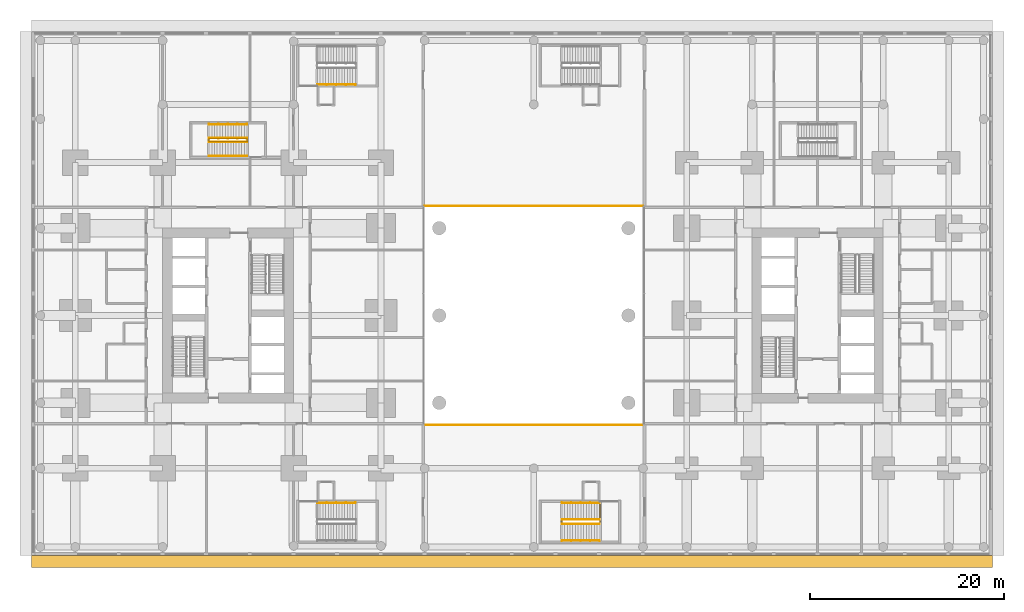
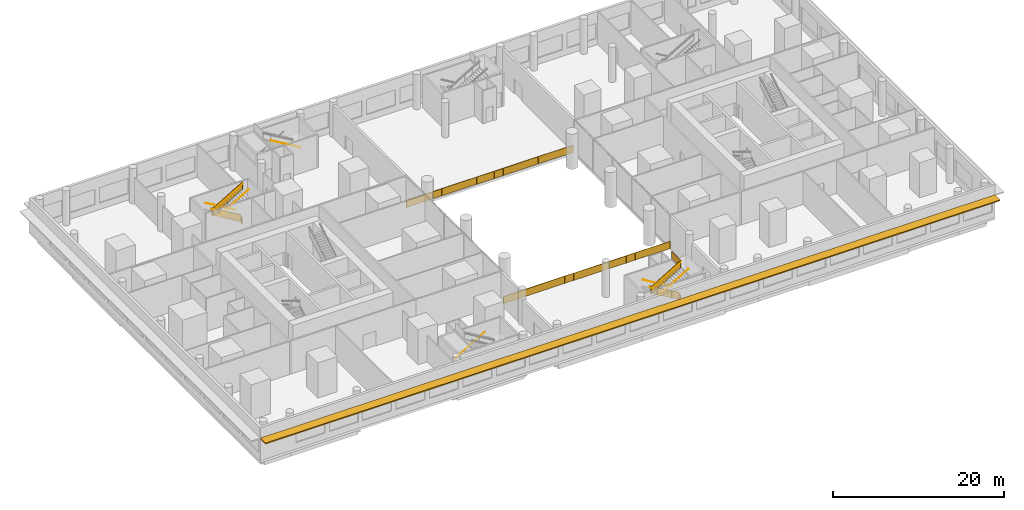
# One storey, part 20 of 22: 14 railings, 1 shading device.
"""IFC4 building model written with IfcOpenShell, lengths in metres."""

from ifc_helpers import new_model, si_unit, direction, frame, origin, origin_2d, place, context, subcontext, project, spatial, polyline, rectangle, circle, outline, extrude, material, layer, layer_set, type_object, element, save


model = new_model("IFC4")

# Units and contexts
model_context = context("Model", 3, precision=1e-05, world=origin(), true_north=direction((0.0, 1.0)))
body_context = subcontext(model_context, "Body", "Model", "MODEL_VIEW")
ifc_project = project(units=[si_unit("LENGTHUNIT", "METRE"), si_unit("AREAUNIT", "SQUARE_METRE"), si_unit("VOLUMEUNIT", "CUBIC_METRE"), si_unit("PLANEANGLEUNIT", "RADIAN"), si_unit("MASSUNIT", "GRAM", prefix="KILO")], contexts=[model_context])

# Site, building, storey
site_placement = place(None, origin())
site = spatial("IfcSite", under=ifc_project, at=site_placement, CompositionType="ELEMENT")
building_placement = place(site_placement, origin())
building = spatial("IfcBuilding", under=site, at=building_placement, Name="Namib Vertical Campus", CompositionType="ELEMENT")
storey_placement = place(building_placement, frame((0.0, 0.0, 11.0)))
storey = spatial("IfcBuildingStorey", under=building, at=storey_placement, Name="L02", CompositionType="ELEMENT", Elevation=11.0)

# Railings
ifc_material_1 = material(Name="Toughened glass balustrade", Category="glass")
railing_type_1 = type_object("IfcRailingType", Name="Edge guard 1100", PredefinedType="GUARDRAIL", material=ifc_material_1)
railing_1_placement = place(storey_placement, frame((40.5, 8.949951171875, 0.0)))
element("IfcRailing", 1, at=railing_1_placement, inside=storey, type_object=railing_type_1, Name="Atrium edge guard GR2 L02 S", PredefinedType="GUARDRAIL", context=body_context, shape_type="SweptSolid", body=[
    extrude(circle(Radius=0.02392578125, at=origin_2d()), frame((0.0, 0.0, 1.076171875), z_axis=(1.0, 0.0, 0.0), x_axis=(0.0, 1.0, 0.0)), (0.0, 0.0, 1.0), 22.5),
    extrude(outline(polyline([(0.02099609375, 0.050048828125), (22.47900390625, 0.050048828125), (22.47900390625, 1.052001953125), (0.02099609375, 1.052001953125), (0.02099609375, 0.050048828125)])), frame((0.0, 0.0107421875, 0.0), z_axis=(0.0, -1.0, 0.0), x_axis=(1.0, 0.0, 0.0)), (0.0, 0.0, 1.0), 0.021484375),
    extrude(circle(Radius=0.02099609375, at=origin_2d()), origin(), (0.0, 0.0, 1.0), 1.052001953125),
    extrude(circle(Radius=0.02099609375, at=origin_2d()), frame((1.184326171875, 0.0, 0.0)), (0.0, 0.0, 1.0), 1.052001953125),
    extrude(circle(Radius=0.02099609375, at=origin_2d()), frame((2.368408203125, 0.0, 0.0)), (0.0, 0.0, 1.0), 1.052001953125),
    extrude(circle(Radius=0.02099609375, at=origin_2d()), frame((3.552734375, 0.0, 0.0)), (0.0, 0.0, 1.0), 1.052001953125),
    extrude(circle(Radius=0.02099609375, at=origin_2d()), frame((4.73681640625, 0.0, 0.0)), (0.0, 0.0, 1.0), 1.052001953125),
    extrude(circle(Radius=0.02099609375, at=origin_2d()), frame((5.921142578125, 0.0, 0.0)), (0.0, 0.0, 1.0), 1.052001953125),
    extrude(circle(Radius=0.02099609375, at=origin_2d()), frame((7.105224609375, 0.0, 0.0)), (0.0, 0.0, 1.0), 1.052001953125),
    extrude(circle(Radius=0.02099609375, at=origin_2d()), frame((8.28955078125, 0.0, 0.0)), (0.0, 0.0, 1.0), 1.052001953125),
    extrude(circle(Radius=0.02099609375, at=origin_2d()), frame((9.4736328125, 0.0, 0.0)), (0.0, 0.0, 1.0), 1.052001953125),
    extrude(circle(Radius=0.02099609375, at=origin_2d()), frame((10.657958984375, 0.0, 0.0)), (0.0, 0.0, 1.0), 1.052001953125),
    extrude(circle(Radius=0.02099609375, at=origin_2d()), frame((11.842041015625, 0.0, 0.0)), (0.0, 0.0, 1.0), 1.052001953125),
    extrude(circle(Radius=0.02099609375, at=origin_2d()), frame((13.0263671875, 0.0, 0.0)), (0.0, 0.0, 1.0), 1.052001953125),
    extrude(circle(Radius=0.02099609375, at=origin_2d()), frame((14.21044921875, 0.0, 0.0)), (0.0, 0.0, 1.0), 1.052001953125),
    extrude(circle(Radius=0.02099609375, at=origin_2d()), frame((15.394775390625, 0.0, 0.0)), (0.0, 0.0, 1.0), 1.052001953125),
    extrude(circle(Radius=0.02099609375, at=origin_2d()), frame((16.578857421875, 0.0, 0.0)), (0.0, 0.0, 1.0), 1.052001953125),
    extrude(circle(Radius=0.02099609375, at=origin_2d()), frame((17.76318359375, 0.0, 0.0)), (0.0, 0.0, 1.0), 1.052001953125),
    extrude(circle(Radius=0.02099609375, at=origin_2d()), frame((18.947265625, 0.0, 0.0)), (0.0, 0.0, 1.0), 1.052001953125),
    extrude(circle(Radius=0.02099609375, at=origin_2d()), frame((20.131591796875, 0.0, 0.0)), (0.0, 0.0, 1.0), 1.052001953125),
    extrude(circle(Radius=0.02099609375, at=origin_2d()), frame((21.315673828125, 0.0, 0.0)), (0.0, 0.0, 1.0), 1.052001953125),
    extrude(circle(Radius=0.02099609375, at=origin_2d()), frame((22.5, 0.0, 0.0)), (0.0, 0.0, 1.0), 1.052001953125),
])
railing_2_placement = place(storey_placement, frame((40.5, 31.550048828125, 0.0)))
element("IfcRailing", 2, at=railing_2_placement, inside=storey, type_object=railing_type_1, Name="Atrium edge guard GR2 L02 N", PredefinedType="GUARDRAIL", context=body_context, shape_type="SweptSolid", body=[
    extrude(circle(Radius=0.02392578125, at=origin_2d()), frame((0.0, 0.0, 1.076171875), z_axis=(1.0, 0.0, 0.0), x_axis=(0.0, 1.0, 0.0)), (0.0, 0.0, 1.0), 22.5),
    extrude(outline(polyline([(0.02099609375, 0.050048828125), (22.47900390625, 0.050048828125), (22.47900390625, 1.052001953125), (0.02099609375, 1.052001953125), (0.02099609375, 0.050048828125)])), frame((0.0, 0.0107421875, 0.0), z_axis=(0.0, -1.0, 0.0), x_axis=(1.0, 0.0, 0.0)), (0.0, 0.0, 1.0), 0.021484375),
    extrude(circle(Radius=0.02099609375, at=origin_2d()), origin(), (0.0, 0.0, 1.0), 1.052001953125),
    extrude(circle(Radius=0.02099609375, at=origin_2d()), frame((1.184326171875, 0.0, 0.0)), (0.0, 0.0, 1.0), 1.052001953125),
    extrude(circle(Radius=0.02099609375, at=origin_2d()), frame((2.368408203125, 0.0, 0.0)), (0.0, 0.0, 1.0), 1.052001953125),
    extrude(circle(Radius=0.02099609375, at=origin_2d()), frame((3.552734375, 0.0, 0.0)), (0.0, 0.0, 1.0), 1.052001953125),
    extrude(circle(Radius=0.02099609375, at=origin_2d()), frame((4.73681640625, 0.0, 0.0)), (0.0, 0.0, 1.0), 1.052001953125),
    extrude(circle(Radius=0.02099609375, at=origin_2d()), frame((5.921142578125, 0.0, 0.0)), (0.0, 0.0, 1.0), 1.052001953125),
    extrude(circle(Radius=0.02099609375, at=origin_2d()), frame((7.105224609375, 0.0, 0.0)), (0.0, 0.0, 1.0), 1.052001953125),
    extrude(circle(Radius=0.02099609375, at=origin_2d()), frame((8.28955078125, 0.0, 0.0)), (0.0, 0.0, 1.0), 1.052001953125),
    extrude(circle(Radius=0.02099609375, at=origin_2d()), frame((9.4736328125, 0.0, 0.0)), (0.0, 0.0, 1.0), 1.052001953125),
    extrude(circle(Radius=0.02099609375, at=origin_2d()), frame((10.657958984375, 0.0, 0.0)), (0.0, 0.0, 1.0), 1.052001953125),
    extrude(circle(Radius=0.02099609375, at=origin_2d()), frame((11.842041015625, 0.0, 0.0)), (0.0, 0.0, 1.0), 1.052001953125),
    extrude(circle(Radius=0.02099609375, at=origin_2d()), frame((13.0263671875, 0.0, 0.0)), (0.0, 0.0, 1.0), 1.052001953125),
    extrude(circle(Radius=0.02099609375, at=origin_2d()), frame((14.21044921875, 0.0, 0.0)), (0.0, 0.0, 1.0), 1.052001953125),
    extrude(circle(Radius=0.02099609375, at=origin_2d()), frame((15.394775390625, 0.0, 0.0)), (0.0, 0.0, 1.0), 1.052001953125),
    extrude(circle(Radius=0.02099609375, at=origin_2d()), frame((16.578857421875, 0.0, 0.0)), (0.0, 0.0, 1.0), 1.052001953125),
    extrude(circle(Radius=0.02099609375, at=origin_2d()), frame((17.76318359375, 0.0, 0.0)), (0.0, 0.0, 1.0), 1.052001953125),
    extrude(circle(Radius=0.02099609375, at=origin_2d()), frame((18.947265625, 0.0, 0.0)), (0.0, 0.0, 1.0), 1.052001953125),
    extrude(circle(Radius=0.02099609375, at=origin_2d()), frame((20.131591796875, 0.0, 0.0)), (0.0, 0.0, 1.0), 1.052001953125),
    extrude(circle(Radius=0.02099609375, at=origin_2d()), frame((21.315673828125, 0.0, 0.0)), (0.0, 0.0, 1.0), 1.052001953125),
    extrude(circle(Radius=0.02099609375, at=origin_2d()), frame((22.5, 0.0, 0.0)), (0.0, 0.0, 1.0), 1.052001953125),
])
ifc_material_2 = material(Name="Steel handrail", Category="steel")
railing_type_2 = type_object("IfcRailingType", Name="Handrail 900", PredefinedType="HANDRAIL", material=ifc_material_2)
railing_3_placement = place(storey_placement, frame((33.3662109375, 44.050048828125, 2.666748046875)))
element("IfcRailing", 3, at=railing_3_placement, inside=storey, type_object=railing_type_2, Name="Handrail HR1 P-S1 L02 2", PredefinedType="HANDRAIL", context=body_context, shape_type="SweptSolid", body=[
    extrude(circle(Radius=0.02392578125, at=origin_2d()), frame((0.0, 0.0, 0.8759765625), z_axis=(-0.859310244771, 0.0, 0.511454693235), x_axis=(0.0, -1.0, 0.0)), (0.0, 0.0, 1.0), 4.56201171875),
    extrude(circle(Radius=0.008056640625, at=origin_2d()), frame((0.0, 0.0, 0.8759765625), z_axis=(0.0, -1.0, 0.0), x_axis=(0.0, 0.0, 1.0)), (0.0, 0.0, 1.0), 0.050048828125),
    extrude(circle(Radius=0.008056640625, at=origin_2d()), frame((-0.97998046875, 0.0, 1.459228515625), z_axis=(0.0, -1.0, 0.0), x_axis=(0.0, 0.0, 1.0)), (0.0, 0.0, 1.0), 0.050048828125),
    extrude(circle(Radius=0.008056640625, at=origin_2d()), frame((-1.9599609375, 0.0, 2.04248046875), z_axis=(0.0, -1.0, 0.0), x_axis=(0.0, 0.0, 1.0)), (0.0, 0.0, 1.0), 0.050048828125),
    extrude(circle(Radius=0.008056640625, at=origin_2d()), frame((-2.940185546875, 0.0, 2.625732421875), z_axis=(0.0, -1.0, 0.0), x_axis=(0.0, 0.0, 1.0)), (0.0, 0.0, 1.0), 0.050048828125),
    extrude(circle(Radius=0.008056640625, at=origin_2d()), frame((-3.920166015625, 0.0, 3.208984375), z_axis=(0.0, -1.0, 0.0), x_axis=(0.0, 0.0, 1.0)), (0.0, 0.0, 1.0), 0.050048828125),
])
railing_4_placement = place(storey_placement, frame((29.446044921875, 0.949951171875, 0.166748046875)))
element("IfcRailing", 4, at=railing_4_placement, inside=storey, type_object=railing_type_2, Name="Handrail HR1 P-S2 L02 1", PredefinedType="HANDRAIL", context=body_context, shape_type="SweptSolid", body=[
    extrude(circle(Radius=0.02392578125, at=origin_2d()), frame((0.0, 0.0, 0.8759765625), z_axis=(0.859310244771, 0.0, 0.511454693235), x_axis=(0.0, 1.0, 0.0)), (0.0, 0.0, 1.0), 4.56201171875),
    extrude(circle(Radius=0.008056640625, at=origin_2d()), frame((0.0, 0.0, 0.8759765625), z_axis=(0.0, 1.0, 0.0), x_axis=(0.0, 0.0, 1.0)), (0.0, 0.0, 1.0), 0.050048828125),
    extrude(circle(Radius=0.008056640625, at=origin_2d()), frame((0.97998046875, 0.0, 1.459228515625), z_axis=(0.0, 1.0, 0.0), x_axis=(0.0, 0.0, 1.0)), (0.0, 0.0, 1.0), 0.050048828125),
    extrude(circle(Radius=0.008056640625, at=origin_2d()), frame((1.9599609375, 0.0, 2.04248046875), z_axis=(0.0, 1.0, 0.0), x_axis=(0.0, 0.0, 1.0)), (0.0, 0.0, 1.0), 0.050048828125),
    extrude(circle(Radius=0.008056640625, at=origin_2d()), frame((2.940185546875, 0.0, 2.625732421875), z_axis=(0.0, 1.0, 0.0), x_axis=(0.0, 0.0, 1.0)), (0.0, 0.0, 1.0), 0.050048828125),
    extrude(circle(Radius=0.008056640625, at=origin_2d()), frame((3.920166015625, 0.0, 3.208984375), z_axis=(0.0, 1.0, 0.0), x_axis=(0.0, 0.0, 1.0)), (0.0, 0.0, 1.0), 0.050048828125),
])
railing_5_placement = place(storey_placement, frame((58.553955078125, 0.949951171875, 0.166748046875)))
element("IfcRailing", 5, at=railing_5_placement, inside=storey, type_object=railing_type_2, Name="Handrail HR1 P-S4 L02 1", PredefinedType="HANDRAIL", context=body_context, shape_type="SweptSolid", body=[
    extrude(circle(Radius=0.02392578125, at=origin_2d()), frame((0.0, 0.0, 0.8759765625), z_axis=(-0.859310244771, 0.0, 0.511454693235), x_axis=(0.0, -1.0, 0.0)), (0.0, 0.0, 1.0), 4.56201171875),
    extrude(circle(Radius=0.008056640625, at=origin_2d()), frame((0.0, 0.0, 0.8759765625), z_axis=(0.0, 1.0, 0.0), x_axis=(0.0, 0.0, 1.0)), (0.0, 0.0, 1.0), 0.050048828125),
    extrude(circle(Radius=0.008056640625, at=origin_2d()), frame((-0.97998046875, 0.0, 1.459228515625), z_axis=(0.0, 1.0, 0.0), x_axis=(0.0, 0.0, 1.0)), (0.0, 0.0, 1.0), 0.050048828125),
    extrude(circle(Radius=0.008056640625, at=origin_2d()), frame((-1.9599609375, 0.0, 2.04248046875), z_axis=(0.0, 1.0, 0.0), x_axis=(0.0, 0.0, 1.0)), (0.0, 0.0, 1.0), 0.050048828125),
    extrude(circle(Radius=0.008056640625, at=origin_2d()), frame((-2.940185546875, 0.0, 2.625732421875), z_axis=(0.0, 1.0, 0.0), x_axis=(0.0, 0.0, 1.0)), (0.0, 0.0, 1.0), 0.050048828125),
    extrude(circle(Radius=0.008056640625, at=origin_2d()), frame((-3.920166015625, 0.0, 3.208984375), z_axis=(0.0, 1.0, 0.0), x_axis=(0.0, 0.0, 1.0)), (0.0, 0.0, 1.0), 0.050048828125),
])
railing_6_placement = place(storey_placement, frame((54.6337890625, -2.949951171875, 2.666748046875)))
element("IfcRailing", 6, at=railing_6_placement, inside=storey, type_object=railing_type_2, Name="Handrail HR1 P-S4 L02 2", PredefinedType="HANDRAIL", context=body_context, shape_type="SweptSolid", body=[
    extrude(circle(Radius=0.02392578125, at=origin_2d()), frame((0.0, 0.0, 0.8759765625), z_axis=(0.859310244771, 0.0, 0.511454693235), x_axis=(0.0, 1.0, 0.0)), (0.0, 0.0, 1.0), 4.56201171875),
    extrude(circle(Radius=0.008056640625, at=origin_2d()), frame((0.0, 0.0, 0.8759765625), z_axis=(0.0, -1.0, 0.0), x_axis=(0.0, 0.0, 1.0)), (0.0, 0.0, 1.0), 0.050048828125),
    extrude(circle(Radius=0.008056640625, at=origin_2d()), frame((0.97998046875, 0.0, 1.459228515625), z_axis=(0.0, -1.0, 0.0), x_axis=(0.0, 0.0, 1.0)), (0.0, 0.0, 1.0), 0.050048828125),
    extrude(circle(Radius=0.008056640625, at=origin_2d()), frame((1.9599609375, 0.0, 2.04248046875), z_axis=(0.0, -1.0, 0.0), x_axis=(0.0, 0.0, 1.0)), (0.0, 0.0, 1.0), 0.050048828125),
    extrude(circle(Radius=0.008056640625, at=origin_2d()), frame((2.940185546875, 0.0, 2.625732421875), z_axis=(0.0, -1.0, 0.0), x_axis=(0.0, 0.0, 1.0)), (0.0, 0.0, 1.0), 0.050048828125),
    extrude(circle(Radius=0.008056640625, at=origin_2d()), frame((3.920166015625, 0.0, 3.208984375), z_axis=(0.0, -1.0, 0.0), x_axis=(0.0, 0.0, 1.0)), (0.0, 0.0, 1.0), 0.050048828125),
])
railing_7_placement = place(storey_placement, frame((58.553955078125, -0.75, 0.166748046875)))
element("IfcRailing", 7, at=railing_7_placement, inside=storey, type_object=railing_type_2, Name="Handrail HR1 P-S4 L02 1 at the well", PredefinedType="HANDRAIL", context=body_context, shape_type="SweptSolid", body=[
    extrude(circle(Radius=0.02392578125, at=origin_2d()), frame((0.0, 0.0, 0.8759765625), z_axis=(-0.859310244771, 0.0, 0.511454693235), x_axis=(0.0, -1.0, 0.0)), (0.0, 0.0, 1.0), 4.56201171875),
    extrude(circle(Radius=0.008056640625, at=origin_2d()), frame((0.0, 0.0, 0.8759765625), z_axis=(0.0, -1.0, 0.0), x_axis=(0.0, 0.0, 1.0)), (0.0, 0.0, 1.0), 0.0400390625),
    extrude(circle(Radius=0.008056640625, at=origin_2d()), frame((-0.97998046875, 0.0, 1.459228515625), z_axis=(0.0, -1.0, 0.0), x_axis=(0.0, 0.0, 1.0)), (0.0, 0.0, 1.0), 0.0400390625),
    extrude(circle(Radius=0.008056640625, at=origin_2d()), frame((-1.9599609375, 0.0, 2.04248046875), z_axis=(0.0, -1.0, 0.0), x_axis=(0.0, 0.0, 1.0)), (0.0, 0.0, 1.0), 0.0400390625),
    extrude(circle(Radius=0.008056640625, at=origin_2d()), frame((-2.940185546875, 0.0, 2.625732421875), z_axis=(0.0, -1.0, 0.0), x_axis=(0.0, 0.0, 1.0)), (0.0, 0.0, 1.0), 0.0400390625),
    extrude(circle(Radius=0.008056640625, at=origin_2d()), frame((-3.920166015625, 0.0, 3.208984375), z_axis=(0.0, -1.0, 0.0), x_axis=(0.0, 0.0, 1.0)), (0.0, 0.0, 1.0), 0.0400390625),
])
railing_8_placement = place(storey_placement, frame((54.6337890625, -1.25, 2.666748046875)))
element("IfcRailing", 8, at=railing_8_placement, inside=storey, type_object=railing_type_2, Name="Handrail HR1 P-S4 L02 2 at the well", PredefinedType="HANDRAIL", context=body_context, shape_type="SweptSolid", body=[
    extrude(circle(Radius=0.02392578125, at=origin_2d()), frame((0.0, 0.0, 0.8759765625), z_axis=(0.859310244771, 0.0, 0.511454693235), x_axis=(0.0, 1.0, 0.0)), (0.0, 0.0, 1.0), 4.56201171875),
    extrude(circle(Radius=0.008056640625, at=origin_2d()), frame((0.0, 0.0, 0.8759765625), z_axis=(0.0, 1.0, 0.0), x_axis=(0.0, 0.0, 1.0)), (0.0, 0.0, 1.0), 0.0400390625),
    extrude(circle(Radius=0.008056640625, at=origin_2d()), frame((0.97998046875, 0.0, 1.459228515625), z_axis=(0.0, 1.0, 0.0), x_axis=(0.0, 0.0, 1.0)), (0.0, 0.0, 1.0), 0.0400390625),
    extrude(circle(Radius=0.008056640625, at=origin_2d()), frame((1.9599609375, 0.0, 2.04248046875), z_axis=(0.0, 1.0, 0.0), x_axis=(0.0, 0.0, 1.0)), (0.0, 0.0, 1.0), 0.0400390625),
    extrude(circle(Radius=0.008056640625, at=origin_2d()), frame((2.940185546875, 0.0, 2.625732421875), z_axis=(0.0, 1.0, 0.0), x_axis=(0.0, 0.0, 1.0)), (0.0, 0.0, 1.0), 0.0400390625),
    extrude(circle(Radius=0.008056640625, at=origin_2d()), frame((3.920166015625, 0.0, 3.208984375), z_axis=(0.0, 1.0, 0.0), x_axis=(0.0, 0.0, 1.0)), (0.0, 0.0, 1.0), 0.0400390625),
])
railing_9_placement = place(storey_placement, frame((22.199951171875, 39.949951171875, 0.166748046875)))
element("IfcRailing", 9, at=railing_9_placement, inside=storey, type_object=railing_type_2, Name="Handrail HR1 A-S3 L02 1", PredefinedType="HANDRAIL", context=body_context, shape_type="SweptSolid", body=[
    extrude(circle(Radius=0.02392578125, at=origin_2d()), frame((0.0, 0.0, 0.8759765625), z_axis=(-0.859296244711, 0.0, 0.511478214419), x_axis=(0.0, -1.0, 0.0)), (0.0, 0.0, 1.0), 4.561767578125),
    extrude(circle(Radius=0.008056640625, at=origin_2d()), frame((0.0, 0.0, 0.8759765625), z_axis=(0.0, 1.0, 0.0), x_axis=(0.0, 0.0, 1.0)), (0.0, 0.0, 1.0), 0.050048828125),
    extrude(circle(Radius=0.008056640625, at=origin_2d()), frame((-0.97998046875, 0.0, 1.459228515625), z_axis=(0.0, 1.0, 0.0), x_axis=(0.0, 0.0, 1.0)), (0.0, 0.0, 1.0), 0.050048828125),
    extrude(circle(Radius=0.008056640625, at=origin_2d()), frame((-1.9599609375, 0.0, 2.04248046875), z_axis=(0.0, 1.0, 0.0), x_axis=(0.0, 0.0, 1.0)), (0.0, 0.0, 1.0), 0.050048828125),
    extrude(circle(Radius=0.008056640625, at=origin_2d()), frame((-2.93994140625, 0.0, 2.625732421875), z_axis=(0.0, 1.0, 0.0), x_axis=(0.0, 0.0, 1.0)), (0.0, 0.0, 1.0), 0.050048828125),
    extrude(circle(Radius=0.008056640625, at=origin_2d()), frame((-3.919921875, 0.0, 3.208984375), z_axis=(0.0, 1.0, 0.0), x_axis=(0.0, 0.0, 1.0)), (0.0, 0.0, 1.0), 0.050048828125),
])
railing_10_placement = place(storey_placement, frame((18.280029296875, 36.699951171875, 2.666748046875)))
element("IfcRailing", 10, at=railing_10_placement, inside=storey, type_object=railing_type_2, Name="Handrail HR1 A-S3 L02 2", PredefinedType="HANDRAIL", context=body_context, shape_type="SweptSolid", body=[
    extrude(circle(Radius=0.02392578125, at=origin_2d()), frame((0.0, 0.0, 0.8759765625), z_axis=(0.859296244711, 0.0, 0.511478214419), x_axis=(0.0, 1.0, 0.0)), (0.0, 0.0, 1.0), 4.561767578125),
    extrude(circle(Radius=0.008056640625, at=origin_2d()), frame((0.0, 0.0, 0.8759765625), z_axis=(0.0, -1.0, 0.0), x_axis=(0.0, 0.0, 1.0)), (0.0, 0.0, 1.0), 0.050048828125),
    extrude(circle(Radius=0.008056640625, at=origin_2d()), frame((0.97998046875, 0.0, 1.459228515625), z_axis=(0.0, -1.0, 0.0), x_axis=(0.0, 0.0, 1.0)), (0.0, 0.0, 1.0), 0.050048828125),
    extrude(circle(Radius=0.008056640625, at=origin_2d()), frame((1.9599609375, 0.0, 2.04248046875), z_axis=(0.0, -1.0, 0.0), x_axis=(0.0, 0.0, 1.0)), (0.0, 0.0, 1.0), 0.050048828125),
    extrude(circle(Radius=0.008056640625, at=origin_2d()), frame((2.93994140625, 0.0, 2.625732421875), z_axis=(0.0, -1.0, 0.0), x_axis=(0.0, 0.0, 1.0)), (0.0, 0.0, 1.0), 0.050048828125),
    extrude(circle(Radius=0.008056640625, at=origin_2d()), frame((3.919921875, 0.0, 3.208984375), z_axis=(0.0, -1.0, 0.0), x_axis=(0.0, 0.0, 1.0)), (0.0, 0.0, 1.0), 0.050048828125),
])
railing_11_placement = place(storey_placement, frame((22.199951171875, 38.52490234375, 0.166748046875)))
element("IfcRailing", 11, at=railing_11_placement, inside=storey, type_object=railing_type_2, Name="Handrail HR1 A-S3 L02 1 at the well", PredefinedType="HANDRAIL", context=body_context, shape_type="SweptSolid", body=[
    extrude(circle(Radius=0.02392578125, at=origin_2d()), frame((0.0, 0.0, 0.8759765625), z_axis=(-0.859296244711, 0.0, 0.511478214419), x_axis=(0.0, -1.0, 0.0)), (0.0, 0.0, 1.0), 4.561767578125),
    extrude(circle(Radius=0.008056640625, at=origin_2d()), frame((0.0, 0.0, 0.8759765625), z_axis=(0.0, -1.0, 0.0), x_axis=(0.0, 0.0, 1.0)), (0.0, 0.0, 1.0), 0.0400390625),
    extrude(circle(Radius=0.008056640625, at=origin_2d()), frame((-0.97998046875, 0.0, 1.459228515625), z_axis=(0.0, -1.0, 0.0), x_axis=(0.0, 0.0, 1.0)), (0.0, 0.0, 1.0), 0.0400390625),
    extrude(circle(Radius=0.008056640625, at=origin_2d()), frame((-1.9599609375, 0.0, 2.04248046875), z_axis=(0.0, -1.0, 0.0), x_axis=(0.0, 0.0, 1.0)), (0.0, 0.0, 1.0), 0.0400390625),
    extrude(circle(Radius=0.008056640625, at=origin_2d()), frame((-2.93994140625, 0.0, 2.625732421875), z_axis=(0.0, -1.0, 0.0), x_axis=(0.0, 0.0, 1.0)), (0.0, 0.0, 1.0), 0.0400390625),
    extrude(circle(Radius=0.008056640625, at=origin_2d()), frame((-3.919921875, 0.0, 3.208984375), z_axis=(0.0, -1.0, 0.0), x_axis=(0.0, 0.0, 1.0)), (0.0, 0.0, 1.0), 0.0400390625),
])
railing_12_placement = place(storey_placement, frame((18.280029296875, 38.125, 2.666748046875)))
element("IfcRailing", 12, at=railing_12_placement, inside=storey, type_object=railing_type_2, Name="Handrail HR1 A-S3 L02 2 at the well", PredefinedType="HANDRAIL", context=body_context, shape_type="SweptSolid", body=[
    extrude(circle(Radius=0.02392578125, at=origin_2d()), frame((0.0, 0.0, 0.8759765625), z_axis=(0.859296244711, 0.0, 0.511478214419), x_axis=(0.0, 1.0, 0.0)), (0.0, 0.0, 1.0), 4.561767578125),
    extrude(circle(Radius=0.008056640625, at=origin_2d()), frame((0.0, 0.0, 0.8759765625), z_axis=(0.0, 1.0, 0.0), x_axis=(0.0, 0.0, 1.0)), (0.0, 0.0, 1.0), 0.0400390625),
    extrude(circle(Radius=0.008056640625, at=origin_2d()), frame((0.97998046875, 0.0, 1.459228515625), z_axis=(0.0, 1.0, 0.0), x_axis=(0.0, 0.0, 1.0)), (0.0, 0.0, 1.0), 0.0400390625),
    extrude(circle(Radius=0.008056640625, at=origin_2d()), frame((1.9599609375, 0.0, 2.04248046875), z_axis=(0.0, 1.0, 0.0), x_axis=(0.0, 0.0, 1.0)), (0.0, 0.0, 1.0), 0.0400390625),
    extrude(circle(Radius=0.008056640625, at=origin_2d()), frame((2.93994140625, 0.0, 2.625732421875), z_axis=(0.0, 1.0, 0.0), x_axis=(0.0, 0.0, 1.0)), (0.0, 0.0, 1.0), 0.0400390625),
    extrude(circle(Radius=0.008056640625, at=origin_2d()), frame((3.919921875, 0.0, 3.208984375), z_axis=(0.0, 1.0, 0.0), x_axis=(0.0, 0.0, 1.0)), (0.0, 0.0, 1.0), 0.0400390625),
])
ifc_material_3 = material(Name="Steel balustrade", Category="steel")
railing_type_3 = type_object("IfcRailingType", Name="Stair guard 1100", PredefinedType="GUARDRAIL", material=ifc_material_3)
railing_13_placement = place(storey_placement, frame((58.553955078125, -1.199951171875, 0.0)))
element("IfcRailing", 13, at=railing_13_placement, inside=storey, type_object=railing_type_3, Name="Stair guard GR1 P-S4 L02", PredefinedType="GUARDRAIL", context=body_context, shape_type="SweptSolid", body=[
    extrude(circle(Radius=0.02392578125, at=origin_2d()), frame((0.0, 0.0, 1.076171875), z_axis=(0.0, 1.0, 0.0), x_axis=(-1.0, 0.0, 0.0)), (0.0, 0.0, 1.0), 0.39990234375),
    extrude(outline(polyline([(0.02099609375, 0.050048828125), (0.37890625, 0.050048828125), (0.37890625, 1.052001953125), (0.02099609375, 1.052001953125), (0.02099609375, 0.050048828125)])), frame((-0.010009765625, 0.0, 0.0), z_axis=(1.0, 0.0, 0.0), x_axis=(0.0, 1.0, 0.0)), (0.0, 0.0, 1.0), 0.02001953125),
    extrude(circle(Radius=0.02392578125, at=origin_2d()), frame((0.0, 0.39990234375, 1.076171875), z_axis=(0.0, 0.0, 1.0), x_axis=(1.0, 0.0, 0.0)), (0.0, 0.0, 1.0), 0.166748046875),
    extrude(circle(Radius=0.02392578125, at=origin_2d()), frame((0.0, 0.39990234375, 1.24267578125), z_axis=(-0.859310244771, 0.0, 0.511454693235), x_axis=(0.0, -1.0, 0.0)), (0.0, 0.0, 1.0), 4.56201171875),
    extrude(outline(polyline([(0.02099609375, 0.0625), (3.899169921875, 2.370849609375), (3.899169921875, 3.372802734375), (0.02099609375, 1.064453125), (0.02099609375, 0.0625)])), frame((0.0, 0.389892578125, 0.166748046875), z_axis=(0.0, 1.0, 0.0), x_axis=(-1.0, 0.0, 0.0)), (0.0, 0.0, 1.0), 0.02001953125),
    extrude(circle(Radius=0.02392578125, at=origin_2d()), frame((-3.920166015625, 0.39990234375, 3.576171875), z_axis=(0.0, -1.0, 0.0), x_axis=(1.0, 0.0, 0.0)), (0.0, 0.0, 1.0), 0.39990234375),
    extrude(outline(polyline([(0.02099609375, 0.050048828125), (0.37890625, 0.050048828125), (0.37890625, 1.052001953125), (0.02099609375, 1.052001953125), (0.02099609375, 0.050048828125)])), frame((-3.91015625, 0.39990234375, 2.5), z_axis=(-1.0, 0.0, 0.0), x_axis=(0.0, -1.0, 0.0)), (0.0, 0.0, 1.0), 0.02001953125),
    extrude(circle(Radius=0.02392578125, at=origin_2d()), frame((-3.920166015625, 0.0, 3.576171875), z_axis=(0.0, 0.0, 1.0), x_axis=(1.0, 0.0, 0.0)), (0.0, 0.0, 1.0), 0.166748046875),
    extrude(circle(Radius=0.02392578125, at=origin_2d()), frame((-3.920166015625, 0.0, 3.74267578125), z_axis=(0.859310244771, 0.0, 0.511454693235), x_axis=(0.0, 1.0, 0.0)), (0.0, 0.0, 1.0), 4.56201171875),
    extrude(outline(polyline([(0.02099609375, 0.0625), (3.899169921875, 2.370849609375), (3.899169921875, 3.372802734375), (0.02099609375, 1.064453125), (0.02099609375, 0.0625)])), frame((-3.920166015625, 0.010009765625, 2.666748046875), z_axis=(0.0, -1.0, 0.0), x_axis=(1.0, 0.0, 0.0)), (0.0, 0.0, 1.0), 0.02001953125),
    extrude(circle(Radius=0.02392578125, at=origin_2d()), frame((0.0, 0.0, 6.076171875), z_axis=(0.0, 1.0, 0.0), x_axis=(-1.0, 0.0, 0.0)), (0.0, 0.0, 1.0), 2.14990234375),
    extrude(outline(polyline([(0.02099609375, 0.050048828125), (2.12890625, 0.050048828125), (2.12890625, 1.052001953125), (0.02099609375, 1.052001953125), (0.02099609375, 0.050048828125)])), frame((-0.010009765625, 0.0, 5.0), z_axis=(1.0, 0.0, 0.0), x_axis=(0.0, 1.0, 0.0)), (0.0, 0.0, 1.0), 0.02001953125),
    extrude(circle(Radius=0.02099609375, at=origin_2d()), origin(), (0.0, 0.0, 1.0), 1.052001953125),
    extrude(circle(Radius=0.02099609375, at=origin_2d()), frame((0.0, 0.39990234375, 0.166748046875)), (0.0, 0.0, 1.0), 1.052001953125),
    extrude(circle(Radius=0.02099609375, at=origin_2d()), frame((-0.97998046875, 0.39990234375, 0.666748046875)), (0.0, 0.0, 1.0), 1.13525390625),
    extrude(circle(Radius=0.02099609375, at=origin_2d()), frame((-1.9599609375, 0.39990234375, 1.33349609375)), (0.0, 0.0, 1.0), 1.052001953125),
    extrude(circle(Radius=0.02099609375, at=origin_2d()), frame((-2.940185546875, 0.39990234375, 1.83349609375)), (0.0, 0.0, 1.0), 1.13525390625),
    extrude(circle(Radius=0.02099609375, at=origin_2d()), frame((-3.920166015625, 0.39990234375, 2.5)), (0.0, 0.0, 1.0), 1.052001953125),
    extrude(circle(Radius=0.02099609375, at=origin_2d()), frame((-3.920166015625, 0.0, 2.666748046875)), (0.0, 0.0, 1.0), 1.052001953125),
    extrude(circle(Radius=0.02099609375, at=origin_2d()), frame((-2.940185546875, 0.0, 3.166748046875)), (0.0, 0.0, 1.0), 1.13525390625),
    extrude(circle(Radius=0.02099609375, at=origin_2d()), frame((-1.9599609375, 0.0, 3.83349609375)), (0.0, 0.0, 1.0), 1.052001953125),
    extrude(circle(Radius=0.02099609375, at=origin_2d()), frame((-0.97998046875, 0.0, 4.33349609375)), (0.0, 0.0, 1.0), 1.13525390625),
    extrude(circle(Radius=0.02099609375, at=origin_2d()), frame((0.0, 0.0, 5.0)), (0.0, 0.0, 1.0), 1.052001953125),
    extrude(circle(Radius=0.02099609375, at=origin_2d()), frame((0.0, 1.074951171875, 5.0)), (0.0, 0.0, 1.0), 1.052001953125),
    extrude(circle(Radius=0.02099609375, at=origin_2d()), frame((0.0, 2.14990234375, 5.0)), (0.0, 0.0, 1.0), 1.052001953125),
])
railing_14_placement = place(storey_placement, frame((22.199951171875, 38.175048828125, 0.0)))
element("IfcRailing", 14, at=railing_14_placement, inside=storey, type_object=railing_type_3, Name="Stair guard GR1 A-S3 L02", PredefinedType="GUARDRAIL", context=body_context, shape_type="SweptSolid", body=[
    extrude(circle(Radius=0.02392578125, at=origin_2d()), frame((0.0, 0.0, 1.076171875), z_axis=(0.0, 1.0, 0.0), x_axis=(-1.0, 0.0, 0.0)), (0.0, 0.0, 1.0), 0.300048828125),
    extrude(outline(polyline([(0.02099609375, 0.050048828125), (0.279052734375, 0.050048828125), (0.279052734375, 1.052001953125), (0.02099609375, 1.052001953125), (0.02099609375, 0.050048828125)])), frame((-0.010009765625, 0.0, 0.0), z_axis=(1.0, 0.0, 0.0), x_axis=(0.0, 1.0, 0.0)), (0.0, 0.0, 1.0), 0.02001953125),
    extrude(circle(Radius=0.02392578125, at=origin_2d()), frame((0.0, 0.300048828125, 1.076171875), z_axis=(0.0, 0.0, 1.0), x_axis=(1.0, 0.0, 0.0)), (0.0, 0.0, 1.0), 0.166748046875),
    extrude(circle(Radius=0.02392578125, at=origin_2d()), frame((0.0, 0.300048828125, 1.24267578125), z_axis=(-0.859296244711, 0.0, 0.511478214419), x_axis=(0.0, -1.0, 0.0)), (0.0, 0.0, 1.0), 4.561767578125),
    extrude(outline(polyline([(0.02099609375, 0.0625), (3.89892578125, 2.370849609375), (3.89892578125, 3.372802734375), (0.02099609375, 1.064453125), (0.02099609375, 0.0625)])), frame((0.0, 0.2900390625, 0.166748046875), z_axis=(0.0, 1.0, 0.0), x_axis=(-1.0, 0.0, 0.0)), (0.0, 0.0, 1.0), 0.02001953125),
    extrude(circle(Radius=0.02392578125, at=origin_2d()), frame((-3.919921875, 0.300048828125, 3.576171875), z_axis=(0.0, -1.0, 0.0), x_axis=(1.0, 0.0, 0.0)), (0.0, 0.0, 1.0), 0.300048828125),
    extrude(outline(polyline([(0.02099609375, 0.050048828125), (0.279052734375, 0.050048828125), (0.279052734375, 1.052001953125), (0.02099609375, 1.052001953125), (0.02099609375, 0.050048828125)])), frame((-3.909912109375, 0.300048828125, 2.5), z_axis=(-1.0, 0.0, 0.0), x_axis=(0.0, -1.0, 0.0)), (0.0, 0.0, 1.0), 0.02001953125),
    extrude(circle(Radius=0.02392578125, at=origin_2d()), frame((-3.919921875, 0.0, 3.576171875), z_axis=(0.0, 0.0, 1.0), x_axis=(1.0, 0.0, 0.0)), (0.0, 0.0, 1.0), 0.166748046875),
    extrude(circle(Radius=0.02392578125, at=origin_2d()), frame((-3.919921875, 0.0, 3.74267578125), z_axis=(0.859296244711, 0.0, 0.511478214419), x_axis=(0.0, 1.0, 0.0)), (0.0, 0.0, 1.0), 4.561767578125),
    extrude(outline(polyline([(0.02099609375, 0.0625), (3.89892578125, 2.370849609375), (3.89892578125, 3.372802734375), (0.02099609375, 1.064453125), (0.02099609375, 0.0625)])), frame((-3.919921875, 0.010009765625, 2.666748046875), z_axis=(0.0, -1.0, 0.0), x_axis=(1.0, 0.0, 0.0)), (0.0, 0.0, 1.0), 0.02001953125),
    extrude(circle(Radius=0.02392578125, at=origin_2d()), frame((0.0, 0.0, 6.076171875), z_axis=(1.0, 0.0, 0.0), x_axis=(0.0, 1.0, 0.0)), (0.0, 0.0, 1.0), 0.050048828125),
    extrude(outline(polyline([(0.02099609375, 0.050048828125), (0.029052734375, 0.050048828125), (0.029052734375, 1.052001953125), (0.02099609375, 1.052001953125), (0.02099609375, 0.050048828125)])), frame((0.0, 0.010009765625, 5.0), z_axis=(0.0, -1.0, 0.0), x_axis=(1.0, 0.0, 0.0)), (0.0, 0.0, 1.0), 0.02001953125),
    extrude(circle(Radius=0.02099609375, at=origin_2d()), origin(), (0.0, 0.0, 1.0), 1.052001953125),
    extrude(circle(Radius=0.02099609375, at=origin_2d()), frame((0.0, 0.300048828125, 0.166748046875)), (0.0, 0.0, 1.0), 1.052001953125),
    extrude(circle(Radius=0.02099609375, at=origin_2d()), frame((-0.97998046875, 0.300048828125, 0.666748046875)), (0.0, 0.0, 1.0), 1.13525390625),
    extrude(circle(Radius=0.02099609375, at=origin_2d()), frame((-1.9599609375, 0.300048828125, 1.166748046875)), (0.0, 0.0, 1.0), 1.218505859375),
    extrude(circle(Radius=0.02099609375, at=origin_2d()), frame((-2.93994140625, 0.300048828125, 1.83349609375)), (0.0, 0.0, 1.0), 1.13525390625),
    extrude(circle(Radius=0.02099609375, at=origin_2d()), frame((-3.919921875, 0.300048828125, 2.5)), (0.0, 0.0, 1.0), 1.052001953125),
    extrude(circle(Radius=0.02099609375, at=origin_2d()), frame((-3.919921875, 0.0, 2.666748046875)), (0.0, 0.0, 1.0), 1.052001953125),
    extrude(circle(Radius=0.02099609375, at=origin_2d()), frame((-2.93994140625, 0.0, 3.166748046875)), (0.0, 0.0, 1.0), 1.13525390625),
    extrude(circle(Radius=0.02099609375, at=origin_2d()), frame((-1.9599609375, 0.0, 3.666748046875)), (0.0, 0.0, 1.0), 1.218505859375),
    extrude(circle(Radius=0.02099609375, at=origin_2d()), frame((-0.97998046875, 0.0, 4.33349609375)), (0.0, 0.0, 1.0), 1.13525390625),
    extrude(circle(Radius=0.02099609375, at=origin_2d()), frame((0.0, 0.0, 5.0)), (0.0, 0.0, 1.0), 1.052001953125),
    extrude(circle(Radius=0.02099609375, at=origin_2d()), frame((0.050048828125, 0.0, 5.0)), (0.0, 0.0, 1.0), 1.052001953125),
])

# Shading device
ifc_material_4 = material(Name="Concrete C40/50 precast", Category="concrete")
ifc_layer = layer(ifc_material_4, 0.14990234375)
ifc_layer_set = layer_set([ifc_layer], Name="Concrete C40/50 precast")
shading_device_type = type_object("IfcShadingDeviceType", Name="Sunshade hood 1200", PredefinedType="SHUTTER", material=ifc_layer_set)
shading_device_placement = place(storey_placement, frame((49.5, -5.10009765625, 3.10009765625), z_axis=(0.0, 0.0, 1.0), x_axis=(1.0, 0.0, 0.0)))
element("IfcShadingDevice", 15, at=shading_device_placement, inside=storey, type_object=shading_device_type, Name="Sunshade SH2 L02 1", PredefinedType="SHUTTER", context=body_context, shape_type="SweptSolid", body=[
    extrude(rectangle(XDim=99.0, YDim=1.199951171875, at=origin_2d()), origin(), (0.0, 0.0, 1.0), 0.14990234375),
])

save(model, "model.ifc")
